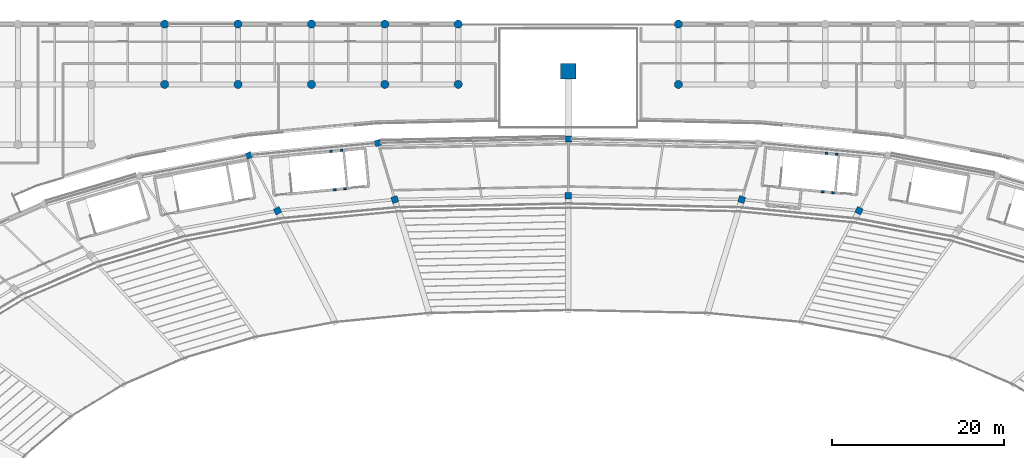
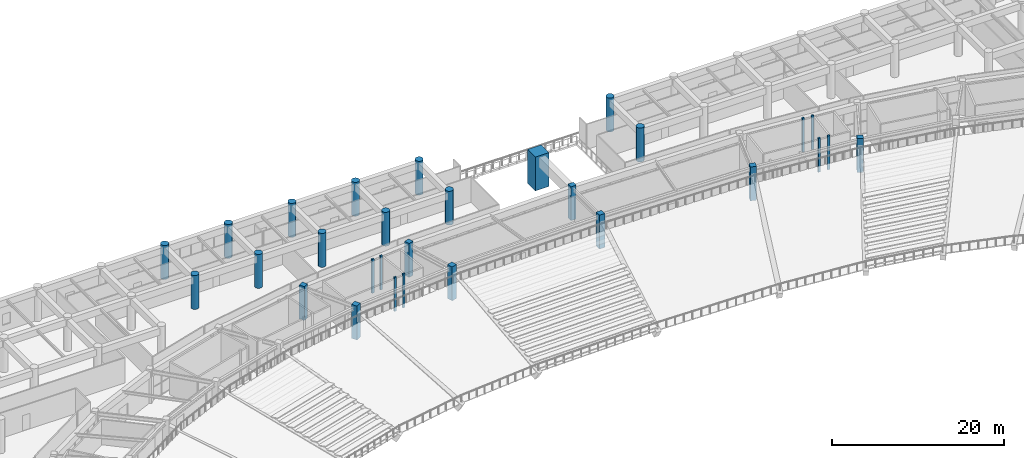
# One storey, part 8 of 137: 29 columns.
"""IFC4 building model written with IfcOpenShell, lengths in metres."""

from ifc_helpers import new_model, si_unit, direction, frame, origin, origin_2d, place, context, subcontext, project, spatial, rectangle, circle, extrude, material, material_profile, profile_set, type_object, element, save


model = new_model("IFC4")

# Units and contexts
model_context = context("Model", 3, precision=1e-05, world=origin(), true_north=direction((0.0, 1.0)))
body_context = subcontext(model_context, "Body", "Model", "MODEL_VIEW")
ifc_project = project(units=[si_unit("LENGTHUNIT", "METRE"), si_unit("AREAUNIT", "SQUARE_METRE"), si_unit("VOLUMEUNIT", "CUBIC_METRE"), si_unit("PLANEANGLEUNIT", "RADIAN"), si_unit("MASSUNIT", "GRAM", prefix="KILO")], contexts=[model_context])

# Site, building, storey
site_placement = place(None, origin())
site = spatial("IfcSite", under=ifc_project, at=site_placement, CompositionType="ELEMENT")
building_placement = place(site_placement, origin())
building = spatial("IfcBuilding", under=site, at=building_placement, Name="Mphavela Belvedere Stadium", CompositionType="ELEMENT")
storey_placement = place(building_placement, frame((0.0, 0.0, 19.199951171875)))
storey = spatial("IfcBuildingStorey", under=building, at=storey_placement, Name="L04", CompositionType="ELEMENT", Elevation=19.199951171875)

# Columns
ifc_material_1 = material(Name="Concrete C40/50", Category="concrete")
ifc_material_profile_1 = material_profile(ifc_material_1, rectangle(XDim=0.300048828125, YDim=0.219970703125, at=origin_2d()), Name="RC 300x220")
ifc_profile_set_1 = profile_set([ifc_material_profile_1], Name="Concrete C40/50")
column_type_1 = type_object("IfcColumnType", Name="COL-CORE-POST-300", PredefinedType="COLUMN", material=ifc_profile_set_1)
for number, where, z_axis, x_axis, name in (
    (1, (144.53515625, 154.541259765625, 0.0), (0.0, 0.0, 1.0), (0.995479460536, -0.094977069084, 0.0), "Core C03 stair frame column L04-1"),
    (2, (145.729736328125, 154.42724609375, 0.0), (0.0, 0.0, 1.0), (0.995479460536, -0.094977069084, 0.0), "Core C03 stair frame column L04-2"),
    (3, (146.154296875, 158.877197265625, 0.0), (0.0, 0.0, 1.0), (0.995479460536, -0.094977069084, 0.0), "Core C03 stair frame column L04-3"),
    (4, (144.959716796875, 158.990966796875, 0.0), (0.0, 0.0, 1.0), (0.995479460536, -0.094977069084, 0.0), "Core C03 stair frame column L04-4"),
    (5, (87.893798828125, 154.77294921875, 0.0), (0.0, 0.0, 1.0), (0.995479460536, 0.094977069084, 0.0), "Core C04 stair frame column L04-1"),
    (6, (89.08837890625, 154.886962890625, 0.0), (0.0, 0.0, 1.0), (0.995479460536, 0.094977069084, 0.0), "Core C04 stair frame column L04-2"),
    (7, (88.663818359375, 159.3369140625, 0.0), (0.0, 0.0, 1.0), (0.995479460536, 0.094977069084, 0.0), "Core C04 stair frame column L04-3"),
    (8, (87.46923828125, 159.222900390625, 0.0), (0.0, 0.0, 1.0), (0.995479460536, 0.094977069084, 0.0), "Core C04 stair frame column L04-4"),
):
    element("IfcColumn", number, at=place(storey_placement, frame(where, z_axis=z_axis, x_axis=x_axis)), inside=storey, type_object=column_type_1, Name=name, PredefinedType="COLUMN", context=body_context, shape_type="SweptSolid", body=[
        extrude(rectangle(XDim=0.300048828125, YDim=0.219970703125, at=origin_2d()), origin(), (0.0, 0.0, 1.0), 4.800048828125),
    ])
ifc_material_2 = material(Name="Concrete C40/50", Category="concrete")
ifc_material_profile_2 = material_profile(ifc_material_2, circle(Radius=0.47509765625, at=origin_2d()), Name="COL D950")
ifc_profile_set_2 = profile_set([ifc_material_profile_2], Name="Concrete C40/50")
column_type_2 = type_object("IfcColumnType", Name="COL-DORIC-950", PredefinedType="COLUMN", material=ifc_profile_set_2)
for number, where, z_axis, x_axis, name in (
    (9, (68.14794921875, 167.0, 0.0), (0.0, 0.0, 1.0), (1.0, 0.0, 0.0), "North Mast and Ceremonial End Forecourt classical column L04 9-7"),
    (10, (68.14794921875, 174.0, 0.0), (0.0, 0.0, 1.0), (1.0, 0.0, 0.0), "North Mast and Ceremonial End Forecourt classical column L04 9-8"),
    (11, (76.6669921875, 167.0, 0.0), (0.0, 0.0, 1.0), (1.0, 0.0, 0.0), "North Mast and Ceremonial End Forecourt classical column L04 10-7"),
    (12, (76.6669921875, 174.0, 0.0), (0.0, 0.0, 1.0), (1.0, 0.0, 0.0), "North Mast and Ceremonial End Forecourt classical column L04 10-8"),
    (13, (85.18505859375, 167.0, 0.0), (0.0, 0.0, 1.0), (1.0, 0.0, 0.0), "North Mast and Ceremonial End Forecourt classical column L04 11-7"),
    (14, (85.18505859375, 174.0, 0.0), (0.0, 0.0, 1.0), (1.0, 0.0, 0.0), "North Mast and Ceremonial End Forecourt classical column L04 11-8"),
    (15, (93.7041015625, 167.0, 0.0), (0.0, 0.0, 1.0), (1.0, 0.0, 0.0), "North Mast and Ceremonial End Forecourt classical column L04 12-7"),
    (16, (93.7041015625, 174.0, 0.0), (0.0, 0.0, 1.0), (1.0, 0.0, 0.0), "North Mast and Ceremonial End Forecourt classical column L04 12-8"),
    (17, (102.221923828125, 167.0, 0.0), (0.0, 0.0, 1.0), (1.0, 0.0, 0.0), "North Mast and Ceremonial End Forecourt classical column L04 13-7"),
    (18, (102.221923828125, 174.0, 0.0), (0.0, 0.0, 1.0), (1.0, 0.0, 0.0), "North Mast and Ceremonial End Forecourt classical column L04 13-8"),
    (19, (127.778076171875, 167.0, 0.0), (0.0, 0.0, 1.0), (1.0, 0.0, 0.0), "North Mast and Ceremonial End Forecourt classical column L04 16-7"),
    (20, (127.778076171875, 174.0, 0.0), (0.0, 0.0, 1.0), (1.0, 0.0, 0.0), "North Mast and Ceremonial End Forecourt classical column L04 16-8"),
):
    element("IfcColumn", number, at=place(storey_placement, frame(where, z_axis=z_axis, x_axis=x_axis)), inside=storey, type_object=column_type_2, Name=name, PredefinedType="COLUMN", context=body_context, shape_type="SweptSolid", body=[
        extrude(circle(Radius=0.47509765625, at=origin_2d()), origin(), (0.0, 0.0, 1.0), 4.800048828125),
    ])
ifc_material_3 = material(Name="Concrete C50/60", Category="concrete")
ifc_material_profile_3 = material_profile(ifc_material_3, rectangle(XDim=1.800048828125, YDim=1.800048828125, at=origin_2d()), Name="RC 1800x1800")
ifc_profile_set_3 = profile_set([ifc_material_profile_3], Name="Concrete C50/60")
column_type_3 = type_object("IfcColumnType", Name="COL-MAST-PIER", PredefinedType="COLUMN", material=ifc_profile_set_3)
column_placement = place(storey_placement, frame((115.0, 168.5, 0.0), z_axis=(0.0, 0.0, 1.0), x_axis=(1.0, 0.0, 0.0)))
element("IfcColumn", 21, at=column_placement, inside=storey, type_object=column_type_3, Name="North mast buttress pier L04 MP-1", PredefinedType="COLUMN", context=body_context, shape_type="SweptSolid", body=[
    extrude(rectangle(XDim=1.800048828125, YDim=1.800048828125, at=origin_2d()), origin(), (0.0, 0.0, 1.0), 4.800048828125),
])
ifc_material_4 = material(Name="Concrete C40/50", Category="concrete")
ifc_material_profile_4 = material_profile(ifc_material_4, rectangle(XDim=0.699951171875, YDim=0.699951171875, at=origin_2d()), Name="RC 700x700")
ifc_profile_set_4 = profile_set([ifc_material_profile_4], Name="Concrete C40/50")
column_type_4 = type_object("IfcColumnType", Name="COL-RC700", PredefinedType="COLUMN", material=ifc_profile_set_4)
for number, where, z_axis, x_axis, name in (
    (22, (115.0, 160.669921875, 0.0), (0.0, 0.0, 1.0), (0.0, 1.0, 0.0), "Outer colonnade column L04 R4-13"),
    (23, (92.885498046875, 160.19384765625, 0.0), (0.0, 0.0, 1.0), (-0.289198876314, 0.957269037387, 0.0), "Outer colonnade column L04 R4-14"),
    (24, (77.92724609375, 158.767333984375, 0.0), (0.0, 0.0, 1.0), (-0.458959712465, 0.888457079624, 0.0), "Outer colonnade column L04 R4-15"),
):
    element("IfcColumn", number, at=place(storey_placement, frame(where, z_axis=z_axis, x_axis=x_axis)), inside=storey, type_object=column_type_4, Name=name, PredefinedType="COLUMN", context=body_context, shape_type="SweptSolid", body=[
        extrude(rectangle(XDim=0.699951171875, YDim=0.699951171875, at=origin_2d()), origin(), (0.0, 0.0, 1.0), 4.800048828125),
    ])
ifc_material_5 = material(Name="Concrete C40/50", Category="concrete")
ifc_material_profile_5 = material_profile(ifc_material_5, rectangle(XDim=0.75, YDim=0.75, at=origin_2d()), Name="RC 750x750")
ifc_profile_set_5 = profile_set([ifc_material_profile_5], Name="Concrete C40/50")
column_type_5 = type_object("IfcColumnType", Name="COL-RC750", PredefinedType="COLUMN", material=ifc_profile_set_5)
for number, where, z_axis, x_axis, name in (
    (25, (148.750244140625, 152.33544921875, 0.0), (0.0, 0.0, 1.0), (0.458959712465, 0.888457079624, 0.0), "Main bowl column L04 R3-11"),
    (26, (135.1328125, 153.634033203125, 0.0), (0.0, 0.0, 1.0), (0.289198876314, 0.957269037387, 0.0), "Main bowl column L04 R3-12"),
    (27, (115.0, 154.0673828125, 0.0), (0.0, 0.0, 1.0), (0.0, 1.0, 0.0), "Main bowl column L04 R3-13"),
    (28, (94.8671875, 153.634033203125, 0.0), (0.0, 0.0, 1.0), (-0.289198876314, 0.957269037387, 0.0), "Main bowl column L04 R3-14"),
    (29, (81.249755859375, 152.33544921875, 0.0), (0.0, 0.0, 1.0), (-0.458959712465, 0.888457079624, 0.0), "Main bowl column L04 R3-15"),
):
    element("IfcColumn", number, at=place(storey_placement, frame(where, z_axis=z_axis, x_axis=x_axis)), inside=storey, type_object=column_type_5, Name=name, PredefinedType="COLUMN", context=body_context, shape_type="SweptSolid", body=[
        extrude(rectangle(XDim=0.75, YDim=0.75, at=origin_2d()), origin(), (0.0, 0.0, 1.0), 4.800048828125),
    ])

save(model, "model.ifc")
